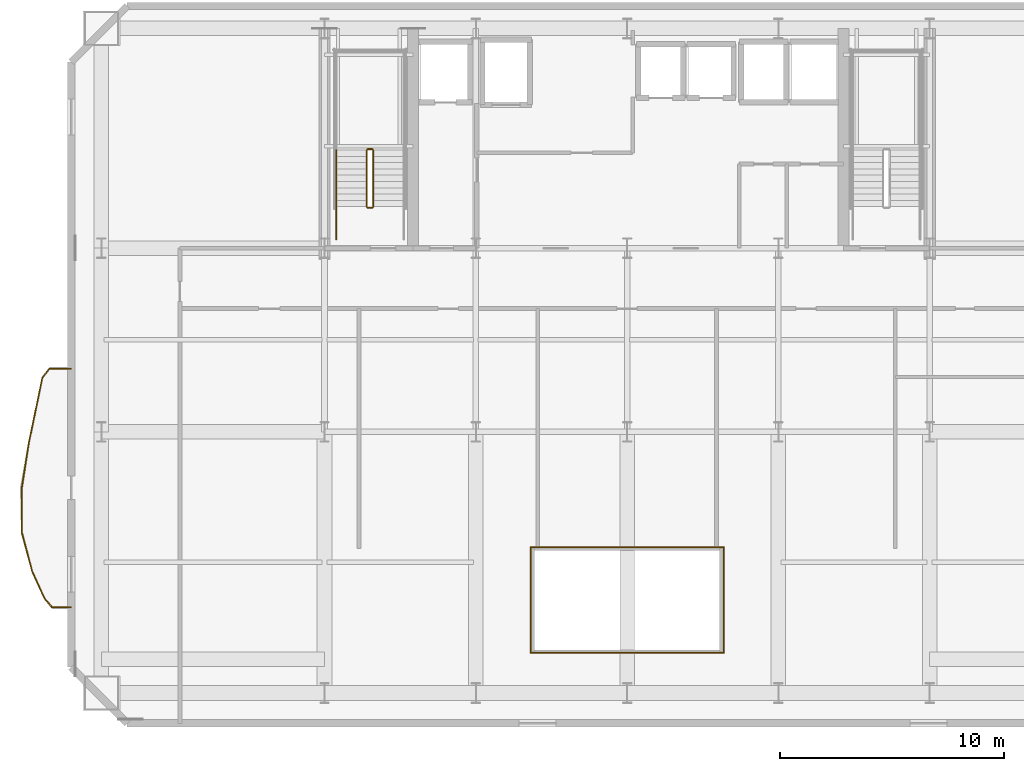
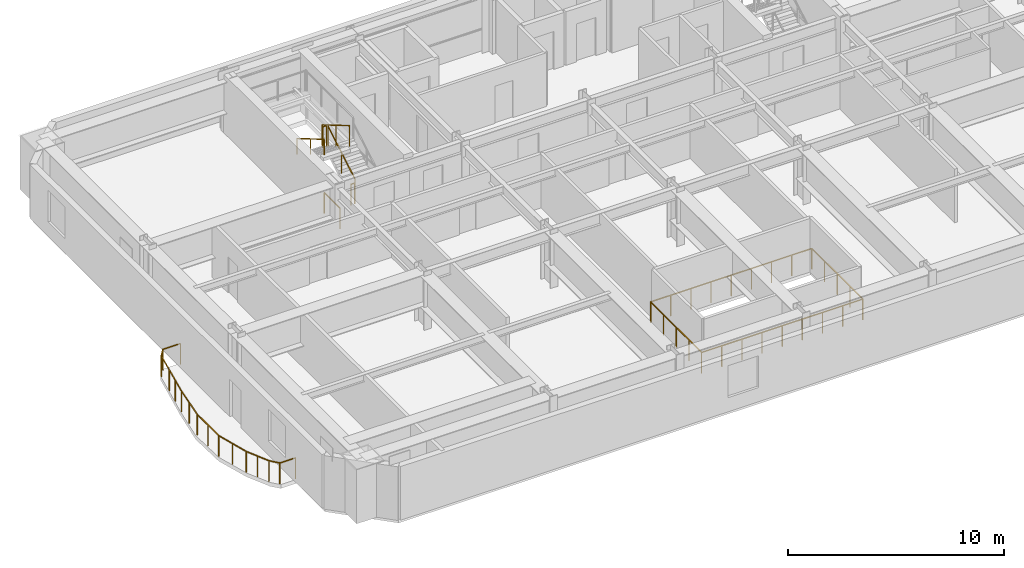
# One storey, part 12 of 16: 20 railings.
"""IFC4 building model written with IfcOpenShell, lengths in metres."""

from ifc_helpers import new_model, si_unit, direction, frame, origin, origin_2d, place, context, subcontext, project, spatial, rectangle, extrude, material, type_object, element, save


model = new_model("IFC4")

# Units and contexts
model_context = context("Model", 3, precision=1e-05, world=origin(), true_north=direction((0.0, 1.0)))
body_context = subcontext(model_context, "Body", "Model", "MODEL_VIEW")
ifc_project = project(units=[si_unit("LENGTHUNIT", "METRE"), si_unit("AREAUNIT", "SQUARE_METRE"), si_unit("VOLUMEUNIT", "CUBIC_METRE"), si_unit("PLANEANGLEUNIT", "RADIAN"), si_unit("MASSUNIT", "GRAM", prefix="KILO")], contexts=[model_context])

# Site, building, storey
site_placement = place(None, origin())
site = spatial("IfcSite", under=ifc_project, at=site_placement, CompositionType="ELEMENT")
building_placement = place(site_placement, origin())
building = spatial("IfcBuilding", under=site, at=building_placement, Name="Haevon Station Towers", CompositionType="ELEMENT")
storey_placement = place(building_placement, frame((0.0, 0.0, 90.0)))
storey = spatial("IfcBuildingStorey", under=building, at=storey_placement, Name="L23", CompositionType="ELEMENT", Elevation=90.0)

# Railings
ifc_material = material(Name="Steel S355", Category="steel")
railing_type_1 = type_object("IfcRailingType", Name="BAL-ATR1200", PredefinedType="BALUSTRADE", material=ifc_material)
railing_1_placement = place(storey_placement, frame((33.19482421875, 20.142333984375, 0.0)))
element("IfcRailing", 1, at=railing_1_placement, inside=storey, type_object=railing_type_1, Name="L23 Atrium Void Balustrade 1", PredefinedType="BALUSTRADE", context=body_context, shape_type="SweptSolid", body=[
    extrude(rectangle(XDim=0.048095703125, YDim=0.048095703125, at=origin_2d()), frame((0.0, 0.0, 1.17578125), z_axis=(1.0, 0.0, 0.0), x_axis=(0.0, 1.0, 0.0)), (0.0, 0.0, 1.0), 8.6103515625),
    extrude(rectangle(XDim=0.0419921875, YDim=0.0419921875, at=origin_2d()), origin(), (0.0, 0.0, 1.0), 1.15185546875),
    extrude(rectangle(XDim=0.0419921875, YDim=0.0419921875, at=origin_2d()), frame((1.076171875, 0.0, 0.0)), (0.0, 0.0, 1.0), 1.15185546875),
    extrude(rectangle(XDim=0.0419921875, YDim=0.0419921875, at=origin_2d()), frame((2.152587890625, 0.0, 0.0)), (0.0, 0.0, 1.0), 1.15185546875),
    extrude(rectangle(XDim=0.0419921875, YDim=0.0419921875, at=origin_2d()), frame((3.22900390625, 0.0, 0.0)), (0.0, 0.0, 1.0), 1.15185546875),
    extrude(rectangle(XDim=0.0419921875, YDim=0.0419921875, at=origin_2d()), frame((4.30517578125, 0.0, 0.0)), (0.0, 0.0, 1.0), 1.15185546875),
    extrude(rectangle(XDim=0.0419921875, YDim=0.0419921875, at=origin_2d()), frame((5.38134765625, 0.0, 0.0)), (0.0, 0.0, 1.0), 1.15185546875),
    extrude(rectangle(XDim=0.0419921875, YDim=0.0419921875, at=origin_2d()), frame((6.457763671875, 0.0, 0.0)), (0.0, 0.0, 1.0), 1.15185546875),
    extrude(rectangle(XDim=0.0419921875, YDim=0.0419921875, at=origin_2d()), frame((7.5341796875, 0.0, 0.0)), (0.0, 0.0, 1.0), 1.15185546875),
    extrude(rectangle(XDim=0.0419921875, YDim=0.0419921875, at=origin_2d()), frame((8.6103515625, 0.0, 0.0)), (0.0, 0.0, 1.0), 1.15185546875),
])
railing_2_placement = place(storey_placement, frame((41.80517578125, 20.142333984375, 0.0)))
element("IfcRailing", 2, at=railing_2_placement, inside=storey, type_object=railing_type_1, Name="L23 Atrium Void Balustrade 2", PredefinedType="BALUSTRADE", context=body_context, shape_type="SweptSolid", body=[
    extrude(rectangle(XDim=0.048095703125, YDim=0.048095703125, at=origin_2d()), frame((0.0, 0.0, 1.17578125), z_axis=(0.0, 1.0, 0.0), x_axis=(-1.0, 0.0, 0.0)), (0.0, 0.0, 1.0), 4.71533203125),
    extrude(rectangle(XDim=0.0419921875, YDim=0.0419921875, at=origin_2d()), origin(), (0.0, 0.0, 1.0), 1.15185546875),
    extrude(rectangle(XDim=0.0419921875, YDim=0.0419921875, at=origin_2d()), frame((0.0, 1.1787109375, 0.0)), (0.0, 0.0, 1.0), 1.15185546875),
    extrude(rectangle(XDim=0.0419921875, YDim=0.0419921875, at=origin_2d()), frame((0.0, 2.357666015625, 0.0)), (0.0, 0.0, 1.0), 1.15185546875),
    extrude(rectangle(XDim=0.0419921875, YDim=0.0419921875, at=origin_2d()), frame((0.0, 3.53662109375, 0.0)), (0.0, 0.0, 1.0), 1.15185546875),
    extrude(rectangle(XDim=0.0419921875, YDim=0.0419921875, at=origin_2d()), frame((0.0, 4.71533203125, 0.0)), (0.0, 0.0, 1.0), 1.15185546875),
])
railing_3_placement = place(storey_placement, frame((41.80517578125, 24.857666015625, 0.0)))
element("IfcRailing", 3, at=railing_3_placement, inside=storey, type_object=railing_type_1, Name="L23 Atrium Void Balustrade 3", PredefinedType="BALUSTRADE", context=body_context, shape_type="SweptSolid", body=[
    extrude(rectangle(XDim=0.048095703125, YDim=0.048095703125, at=origin_2d()), frame((0.0, 0.0, 1.17578125), z_axis=(-1.0, 0.0, 0.0), x_axis=(0.0, -1.0, 0.0)), (0.0, 0.0, 1.0), 8.6103515625),
    extrude(rectangle(XDim=0.0419921875, YDim=0.0419921875, at=origin_2d()), origin(), (0.0, 0.0, 1.0), 1.15185546875),
    extrude(rectangle(XDim=0.0419921875, YDim=0.0419921875, at=origin_2d()), frame((-1.076171875, 0.0, 0.0)), (0.0, 0.0, 1.0), 1.15185546875),
    extrude(rectangle(XDim=0.0419921875, YDim=0.0419921875, at=origin_2d()), frame((-2.152587890625, 0.0, 0.0)), (0.0, 0.0, 1.0), 1.15185546875),
    extrude(rectangle(XDim=0.0419921875, YDim=0.0419921875, at=origin_2d()), frame((-3.22900390625, 0.0, 0.0)), (0.0, 0.0, 1.0), 1.15185546875),
    extrude(rectangle(XDim=0.0419921875, YDim=0.0419921875, at=origin_2d()), frame((-4.30517578125, 0.0, 0.0)), (0.0, 0.0, 1.0), 1.15185546875),
    extrude(rectangle(XDim=0.0419921875, YDim=0.0419921875, at=origin_2d()), frame((-5.38134765625, 0.0, 0.0)), (0.0, 0.0, 1.0), 1.15185546875),
    extrude(rectangle(XDim=0.0419921875, YDim=0.0419921875, at=origin_2d()), frame((-6.457763671875, 0.0, 0.0)), (0.0, 0.0, 1.0), 1.15185546875),
    extrude(rectangle(XDim=0.0419921875, YDim=0.0419921875, at=origin_2d()), frame((-7.5341796875, 0.0, 0.0)), (0.0, 0.0, 1.0), 1.15185546875),
    extrude(rectangle(XDim=0.0419921875, YDim=0.0419921875, at=origin_2d()), frame((-8.6103515625, 0.0, 0.0)), (0.0, 0.0, 1.0), 1.15185546875),
])
railing_4_placement = place(storey_placement, frame((33.19482421875, 24.857666015625, 0.0)))
element("IfcRailing", 4, at=railing_4_placement, inside=storey, type_object=railing_type_1, Name="L23 Atrium Void Balustrade 4", PredefinedType="BALUSTRADE", context=body_context, shape_type="SweptSolid", body=[
    extrude(rectangle(XDim=0.048095703125, YDim=0.048095703125, at=origin_2d()), frame((0.0, 0.0, 1.17578125), z_axis=(0.0, -1.0, 0.0), x_axis=(1.0, 0.0, 0.0)), (0.0, 0.0, 1.0), 4.71533203125),
    extrude(rectangle(XDim=0.0419921875, YDim=0.0419921875, at=origin_2d()), origin(), (0.0, 0.0, 1.0), 1.15185546875),
    extrude(rectangle(XDim=0.0419921875, YDim=0.0419921875, at=origin_2d()), frame((0.0, -1.1787109375, 0.0)), (0.0, 0.0, 1.0), 1.15185546875),
    extrude(rectangle(XDim=0.0419921875, YDim=0.0419921875, at=origin_2d()), frame((0.0, -2.357666015625, 0.0)), (0.0, 0.0, 1.0), 1.15185546875),
    extrude(rectangle(XDim=0.0419921875, YDim=0.0419921875, at=origin_2d()), frame((0.0, -3.53662109375, 0.0)), (0.0, 0.0, 1.0), 1.15185546875),
    extrude(rectangle(XDim=0.0419921875, YDim=0.0419921875, at=origin_2d()), frame((0.0, -4.71533203125, 0.0)), (0.0, 0.0, 1.0), 1.15185546875),
])
railing_type_2 = type_object("IfcRailingType", Name="GRD-EXT1200", PredefinedType="GUARDRAIL", material=ifc_material)
railing_5_placement = place(storey_placement, frame((12.6767578125, 32.822021484375, 0.0)))
element("IfcRailing", 5, at=railing_5_placement, inside=storey, type_object=railing_type_2, Name="L23 Perimeter Guardrail 1", PredefinedType="GUARDRAIL", context=body_context, shape_type="SweptSolid", body=[
    extrude(rectangle(XDim=0.048095703125, YDim=0.048095703125, at=origin_2d()), frame((0.0, 0.0, 1.17578125), z_axis=(-0.999997858959, -0.002069317866, 0.0), x_axis=(0.002069317866, -0.999997858959, 0.0)), (0.0, 0.0, 1.0), 0.94384765625),
    extrude(rectangle(XDim=0.0419921875, YDim=0.0419921875, at=origin_2d()), origin(), (0.0, 0.0, 1.0), 1.15185546875),
    extrude(rectangle(XDim=0.0419921875, YDim=0.0419921875, at=origin_2d()), frame((-0.94384765625, -0.001953125, 0.0)), (0.0, 0.0, 1.0), 1.15185546875),
])
railing_6_placement = place(storey_placement, frame((11.73291015625, 32.820068359375, 0.0)))
element("IfcRailing", 6, at=railing_6_placement, inside=storey, type_object=railing_type_2, Name="L23 Perimeter Guardrail 2", PredefinedType="GUARDRAIL", context=body_context, shape_type="SweptSolid", body=[
    extrude(rectangle(XDim=0.048095703125, YDim=0.048095703125, at=origin_2d()), frame((0.0, 0.0, 1.17578125), z_axis=(-0.61835728621, -0.785897109417, 0.0), x_axis=(0.785897109417, -0.61835728621, 0.0)), (0.0, 0.0, 1.0), 0.523193359375),
    extrude(rectangle(XDim=0.0419921875, YDim=0.0419921875, at=origin_2d()), origin(), (0.0, 0.0, 1.0), 1.15185546875),
    extrude(rectangle(XDim=0.0419921875, YDim=0.0419921875, at=origin_2d()), frame((-0.323486328125, -0.4111328125, 0.0)), (0.0, 0.0, 1.0), 1.15185546875),
])
railing_7_placement = place(storey_placement, frame((11.409423828125, 32.408935546875, 0.0)))
element("IfcRailing", 7, at=railing_7_placement, inside=storey, type_object=railing_type_2, Name="L23 Perimeter Guardrail 3", PredefinedType="GUARDRAIL", context=body_context, shape_type="SweptSolid", body=[
    extrude(rectangle(XDim=0.048095703125, YDim=0.048095703125, at=origin_2d()), frame((0.0, 0.0, 1.17578125), z_axis=(-0.202240814384, -0.97933582238, 0.0), x_axis=(0.97933582238, -0.202240814384, 0.0)), (0.0, 0.0, 1.0), 1.195068359375),
    extrude(rectangle(XDim=0.0419921875, YDim=0.0419921875, at=origin_2d()), origin(), (0.0, 0.0, 1.0), 1.15185546875),
    extrude(rectangle(XDim=0.0419921875, YDim=0.0419921875, at=origin_2d()), frame((-0.24169921875, -1.17041015625, 0.0)), (0.0, 0.0, 1.0), 1.15185546875),
])
railing_8_placement = place(storey_placement, frame((11.167724609375, 31.238525390625, 0.0)))
element("IfcRailing", 8, at=railing_8_placement, inside=storey, type_object=railing_type_2, Name="L23 Perimeter Guardrail 4", PredefinedType="GUARDRAIL", context=body_context, shape_type="SweptSolid", body=[
    extrude(rectangle(XDim=0.048095703125, YDim=0.048095703125, at=origin_2d()), frame((0.0, 0.0, 1.17578125), z_axis=(-0.203550270134, -0.979064496103, 0.0), x_axis=(0.979064496103, -0.203550270134, 0.0)), (0.0, 0.0, 1.0), 1.785888671875),
    extrude(rectangle(XDim=0.0419921875, YDim=0.0419921875, at=origin_2d()), origin(), (0.0, 0.0, 1.0), 1.15185546875),
    extrude(rectangle(XDim=0.0419921875, YDim=0.0419921875, at=origin_2d()), frame((-0.181640625, -0.874267578125, 0.0)), (0.0, 0.0, 1.0), 1.15185546875),
    extrude(rectangle(XDim=0.0419921875, YDim=0.0419921875, at=origin_2d()), frame((-0.363525390625, -1.74853515625, 0.0)), (0.0, 0.0, 1.0), 1.15185546875),
])
railing_9_placement = place(storey_placement, frame((10.80419921875, 29.489990234375, 0.0)))
element("IfcRailing", 9, at=railing_9_placement, inside=storey, type_object=railing_type_2, Name="L23 Perimeter Guardrail 5", PredefinedType="GUARDRAIL", context=body_context, shape_type="SweptSolid", body=[
    extrude(rectangle(XDim=0.048095703125, YDim=0.048095703125, at=origin_2d()), frame((0.0, 0.0, 1.17578125), z_axis=(-0.153241396633, -0.988188784776, 0.0), x_axis=(0.988188784776, -0.153241396633, 0.0)), (0.0, 0.0, 1.0), 2.013671875),
    extrude(rectangle(XDim=0.0419921875, YDim=0.0419921875, at=origin_2d()), origin(), (0.0, 0.0, 1.0), 1.15185546875),
    extrude(rectangle(XDim=0.0419921875, YDim=0.0419921875, at=origin_2d()), frame((-0.154296875, -0.9951171875, 0.0)), (0.0, 0.0, 1.0), 1.15185546875),
    extrude(rectangle(XDim=0.0419921875, YDim=0.0419921875, at=origin_2d()), frame((-0.30859375, -1.989990234375, 0.0)), (0.0, 0.0, 1.0), 1.15185546875),
])
railing_10_placement = place(storey_placement, frame((10.49560546875, 27.5, 0.0)))
element("IfcRailing", 10, at=railing_10_placement, inside=storey, type_object=railing_type_2, Name="L23 Perimeter Guardrail 6", PredefinedType="GUARDRAIL", context=body_context, shape_type="SweptSolid", body=[
    extrude(rectangle(XDim=0.048095703125, YDim=0.048095703125, at=origin_2d()), frame((0.0, 0.0, 1.17578125), z_axis=(0.000857107558, -0.999999632683, 0.0), x_axis=(0.999999632683, 0.000857107558, 0.0)), (0.0, 0.0, 1.0), 1.993896484375),
    extrude(rectangle(XDim=0.0419921875, YDim=0.0419921875, at=origin_2d()), origin(), (0.0, 0.0, 1.0), 1.15185546875),
    extrude(rectangle(XDim=0.0419921875, YDim=0.0419921875, at=origin_2d()), frame((0.0009765625, -0.9970703125, 0.0)), (0.0, 0.0, 1.0), 1.15185546875),
    extrude(rectangle(XDim=0.0419921875, YDim=0.0419921875, at=origin_2d()), frame((0.001708984375, -1.993896484375, 0.0)), (0.0, 0.0, 1.0), 1.15185546875),
])
railing_11_placement = place(storey_placement, frame((10.497314453125, 25.506103515625, 0.0)))
element("IfcRailing", 11, at=railing_11_placement, inside=storey, type_object=railing_type_2, Name="L23 Perimeter Guardrail 7", PredefinedType="GUARDRAIL", context=body_context, shape_type="SweptSolid", body=[
    extrude(rectangle(XDim=0.048095703125, YDim=0.048095703125, at=origin_2d()), frame((0.0, 0.0, 1.17578125), z_axis=(0.257014643821, -0.966407508695, 0.0), x_axis=(0.966407508695, 0.257014643821, 0.0)), (0.0, 0.0, 1.0), 1.8056640625),
    extrude(rectangle(XDim=0.0419921875, YDim=0.0419921875, at=origin_2d()), origin(), (0.0, 0.0, 1.0), 1.15185546875),
    extrude(rectangle(XDim=0.0419921875, YDim=0.0419921875, at=origin_2d()), frame((0.23193359375, -0.87255859375, 0.0)), (0.0, 0.0, 1.0), 1.15185546875),
    extrude(rectangle(XDim=0.0419921875, YDim=0.0419921875, at=origin_2d()), frame((0.464111328125, -1.7451171875, 0.0)), (0.0, 0.0, 1.0), 1.15185546875),
])
railing_12_placement = place(storey_placement, frame((10.96142578125, 23.760986328125, 0.0)))
element("IfcRailing", 12, at=railing_12_placement, inside=storey, type_object=railing_type_2, Name="L23 Perimeter Guardrail 8", PredefinedType="GUARDRAIL", context=body_context, shape_type="SweptSolid", body=[
    extrude(rectangle(XDim=0.048095703125, YDim=0.048095703125, at=origin_2d()), frame((0.0, 0.0, 1.17578125), z_axis=(0.415661077418, -0.909519581273, 0.0), x_axis=(0.909519581273, 0.415661077418, 0.0)), (0.0, 0.0, 1.0), 1.286376953125),
    extrude(rectangle(XDim=0.0419921875, YDim=0.0419921875, at=origin_2d()), origin(), (0.0, 0.0, 1.0), 1.15185546875),
    extrude(rectangle(XDim=0.0419921875, YDim=0.0419921875, at=origin_2d()), frame((0.267333984375, -0.5849609375, 0.0)), (0.0, 0.0, 1.0), 1.15185546875),
    extrude(rectangle(XDim=0.0419921875, YDim=0.0419921875, at=origin_2d()), frame((0.53466796875, -1.169921875, 0.0)), (0.0, 0.0, 1.0), 1.15185546875),
])
railing_13_placement = place(storey_placement, frame((11.49609375, 22.591064453125, 0.0)))
element("IfcRailing", 13, at=railing_13_placement, inside=storey, type_object=railing_type_2, Name="L23 Perimeter Guardrail 9", PredefinedType="GUARDRAIL", context=body_context, shape_type="SweptSolid", body=[
    extrude(rectangle(XDim=0.048095703125, YDim=0.048095703125, at=origin_2d()), frame((0.0, 0.0, 1.17578125), z_axis=(0.640139552031, -0.768258650407, 0.0), x_axis=(0.768258650407, 0.640139552031, 0.0)), (0.0, 0.0, 1.0), 0.535400390625),
    extrude(rectangle(XDim=0.0419921875, YDim=0.0419921875, at=origin_2d()), origin(), (0.0, 0.0, 1.0), 1.15185546875),
    extrude(rectangle(XDim=0.0419921875, YDim=0.0419921875, at=origin_2d()), frame((0.3427734375, -0.411376953125, 0.0)), (0.0, 0.0, 1.0), 1.15185546875),
])
railing_14_placement = place(storey_placement, frame((11.8388671875, 22.1796875, 0.0)))
element("IfcRailing", 14, at=railing_14_placement, inside=storey, type_object=railing_type_2, Name="L23 Perimeter Guardrail 10", PredefinedType="GUARDRAIL", context=body_context, shape_type="SweptSolid", body=[
    extrude(rectangle(XDim=0.048095703125, YDim=0.048095703125, at=origin_2d()), frame((0.0, 0.0, 1.17578125), z_axis=(0.999997919967, -0.002039622797, 0.0), x_axis=(0.002039622797, 0.999997919967, 0.0)), (0.0, 0.0, 1.0), 0.837890625),
    extrude(rectangle(XDim=0.0419921875, YDim=0.0419921875, at=origin_2d()), origin(), (0.0, 0.0, 1.0), 1.15185546875),
    extrude(rectangle(XDim=0.0419921875, YDim=0.0419921875, at=origin_2d()), frame((0.837890625, -0.001708984375, 0.0)), (0.0, 0.0, 1.0), 1.15185546875),
])
railing_type_3 = type_object("IfcRailingType", Name="GRD-STR1200", PredefinedType="GUARDRAIL", material=ifc_material)
railing_15_placement = place(storey_placement, frame((26.179931640625, 40.050048828125, 0.1650390625)))
element("IfcRailing", 15, at=railing_15_placement, inside=storey, type_object=railing_type_3, Name="L23 ST1 Stair Guard 1", PredefinedType="GUARDRAIL", context=body_context, shape_type="SweptSolid", body=[
    extrude(rectangle(XDim=0.048095703125, YDim=0.048095703125, at=origin_2d()), frame((0.0, 0.0, 1.17578125), z_axis=(0.0, 0.861560626758, 0.507654692109), x_axis=(-1.0, 0.0, 0.0)), (0.0, 0.0, 1.0), 2.925048828125),
    extrude(rectangle(XDim=0.0419921875, YDim=0.0419921875, at=origin_2d()), origin(), (0.0, 0.0, 1.0), 1.15185546875),
    extrude(rectangle(XDim=0.0419921875, YDim=0.0419921875, at=origin_2d()), frame((0.0, 1.260009765625, 0.742431640625)), (0.0, 0.0, 1.0), 1.15185546875),
    extrude(rectangle(XDim=0.0419921875, YDim=0.0419921875, at=origin_2d()), frame((0.0, 2.52001953125, 1.48486328125)), (0.0, 0.0, 1.0), 1.15185546875),
])
railing_16_placement = place(storey_placement, frame((26.1298828125, 42.6201171875, 1.64990234375)))
element("IfcRailing", 16, at=railing_16_placement, inside=storey, type_object=railing_type_3, Name="L23 ST1 Stair Guard 2", PredefinedType="GUARDRAIL", context=body_context, shape_type="SweptSolid", body=[
    extrude(rectangle(XDim=0.048095703125, YDim=0.048095703125, at=origin_2d()), frame((0.0, 0.0, 1.17578125), z_axis=(-1.0, 0.0, 0.0), x_axis=(0.0, -1.0, 0.0)), (0.0, 0.0, 1.0), 0.199951171875),
    extrude(rectangle(XDim=0.0419921875, YDim=0.0419921875, at=origin_2d()), origin(), (0.0, 0.0, 1.0), 1.15185546875),
    extrude(rectangle(XDim=0.0419921875, YDim=0.0419921875, at=origin_2d()), frame((-0.199951171875, 0.0, 0.0)), (0.0, 0.0, 1.0), 1.15185546875),
])
railing_17_placement = place(storey_placement, frame((25.8798828125, 42.570068359375, 1.81494140625)))
element("IfcRailing", 17, at=railing_17_placement, inside=storey, type_object=railing_type_3, Name="L23 ST1 Stair Guard 6", PredefinedType="GUARDRAIL", context=body_context, shape_type="SweptSolid", body=[
    extrude(rectangle(XDim=0.048095703125, YDim=0.048095703125, at=origin_2d()), frame((0.0, 0.0, 1.17578125), z_axis=(0.0, -0.86152411907, 0.507716645641), x_axis=(1.0, 0.0, 0.0)), (0.0, 0.0, 1.0), 2.925048828125),
    extrude(rectangle(XDim=0.0419921875, YDim=0.0419921875, at=origin_2d()), origin(), (0.0, 0.0, 1.0), 1.15185546875),
    extrude(rectangle(XDim=0.0419921875, YDim=0.0419921875, at=origin_2d()), frame((0.0, -1.260009765625, 0.74267578125)), (0.0, 0.0, 1.0), 1.15185546875),
    extrude(rectangle(XDim=0.0419921875, YDim=0.0419921875, at=origin_2d()), frame((0.0, -2.52001953125, 1.485107421875)), (0.0, 0.0, 1.0), 1.15185546875),
])
railing_18_placement = place(storey_placement, frame((26.1298828125, 40.0, 0.0)))
element("IfcRailing", 18, at=railing_18_placement, inside=storey, type_object=railing_type_3, Name="L23 ST1 Stair Guard 7", PredefinedType="GUARDRAIL", context=body_context, shape_type="SweptSolid", body=[
    extrude(rectangle(XDim=0.048095703125, YDim=0.048095703125, at=origin_2d()), frame((0.0, 0.0, 1.17578125), z_axis=(-1.0, 0.0, 0.0), x_axis=(0.0, -1.0, 0.0)), (0.0, 0.0, 1.0), 0.199951171875),
    extrude(rectangle(XDim=0.0419921875, YDim=0.0419921875, at=origin_2d()), origin(), (0.0, 0.0, 1.0), 1.15185546875),
    extrude(rectangle(XDim=0.0419921875, YDim=0.0419921875, at=origin_2d()), frame((-0.199951171875, 0.0, 0.0)), (0.0, 0.0, 1.0), 1.15185546875),
])
railing_19_placement = place(storey_placement, frame((24.530029296875, 38.60009765625, 0.0)))
element("IfcRailing", 19, at=railing_19_placement, inside=storey, type_object=railing_type_3, Name="L23 ST1 Stair Guard 9", PredefinedType="GUARDRAIL", context=body_context, shape_type="SweptSolid", body=[
    extrude(rectangle(XDim=0.048095703125, YDim=0.048095703125, at=origin_2d()), frame((0.0, 0.0, 1.17578125), z_axis=(0.0, 1.0, 0.0), x_axis=(-1.0, 0.0, 0.0)), (0.0, 0.0, 1.0), 1.449951171875),
    extrude(rectangle(XDim=0.0419921875, YDim=0.0419921875, at=origin_2d()), origin(), (0.0, 0.0, 1.0), 1.15185546875),
    extrude(rectangle(XDim=0.0419921875, YDim=0.0419921875, at=origin_2d()), frame((0.0, 1.449951171875, 0.0)), (0.0, 0.0, 1.0), 1.15185546875),
])
railing_type_4 = type_object("IfcRailingType", Name="HND-STR900", PredefinedType="HANDRAIL", material=ifc_material)
railing_20_placement = place(storey_placement, frame((24.530029296875, 42.570068359375, 1.81494140625)))
element("IfcRailing", 20, at=railing_20_placement, inside=storey, type_object=railing_type_4, Name="L23 ST1 Stair Handrail 2", PredefinedType="HANDRAIL", context=body_context, shape_type="SweptSolid", body=[
    extrude(rectangle(XDim=0.048095703125, YDim=0.048095703125, at=origin_2d()), frame((0.0, 0.0, 0.8759765625), z_axis=(0.0, -0.86152411907, 0.507716645641), x_axis=(1.0, 0.0, 0.0)), (0.0, 0.0, 1.0), 2.925048828125),
    extrude(rectangle(XDim=0.0419921875, YDim=0.0419921875, at=origin_2d()), origin(), (0.0, 0.0, 1.0), 0.851806640625),
    extrude(rectangle(XDim=0.0419921875, YDim=0.0419921875, at=origin_2d()), frame((0.0, -1.260009765625, 0.74267578125)), (0.0, 0.0, 1.0), 0.851806640625),
    extrude(rectangle(XDim=0.0419921875, YDim=0.0419921875, at=origin_2d()), frame((0.0, -2.52001953125, 1.485107421875)), (0.0, 0.0, 1.0), 0.851806640625),
])

save(model, "model.ifc")
